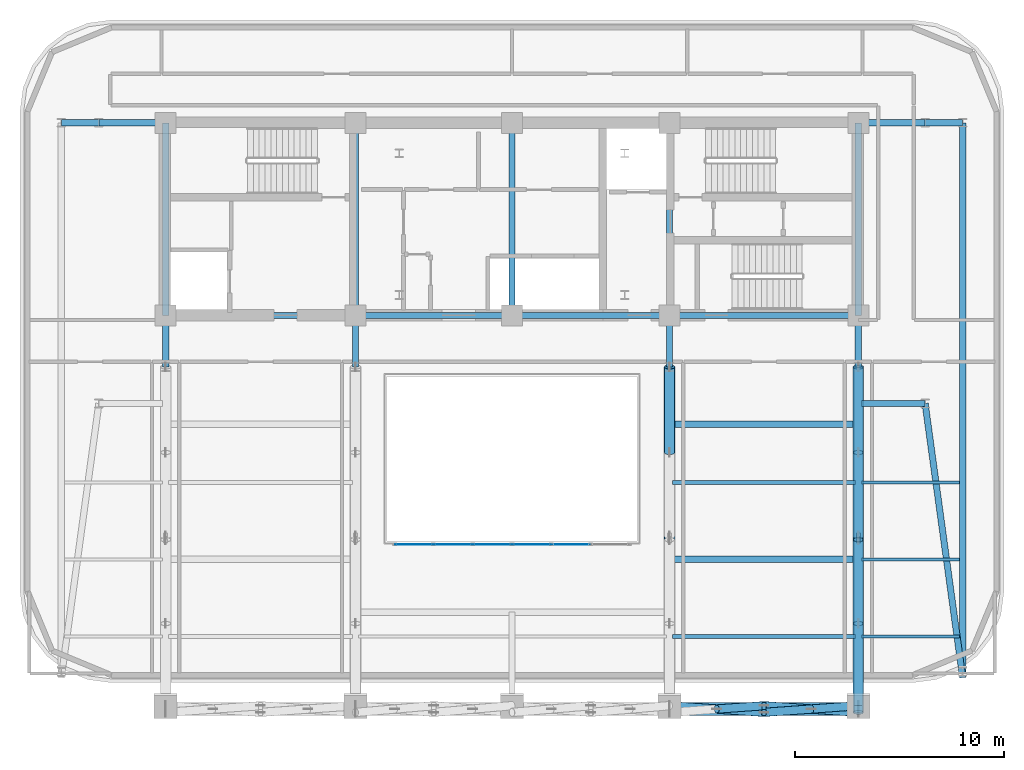
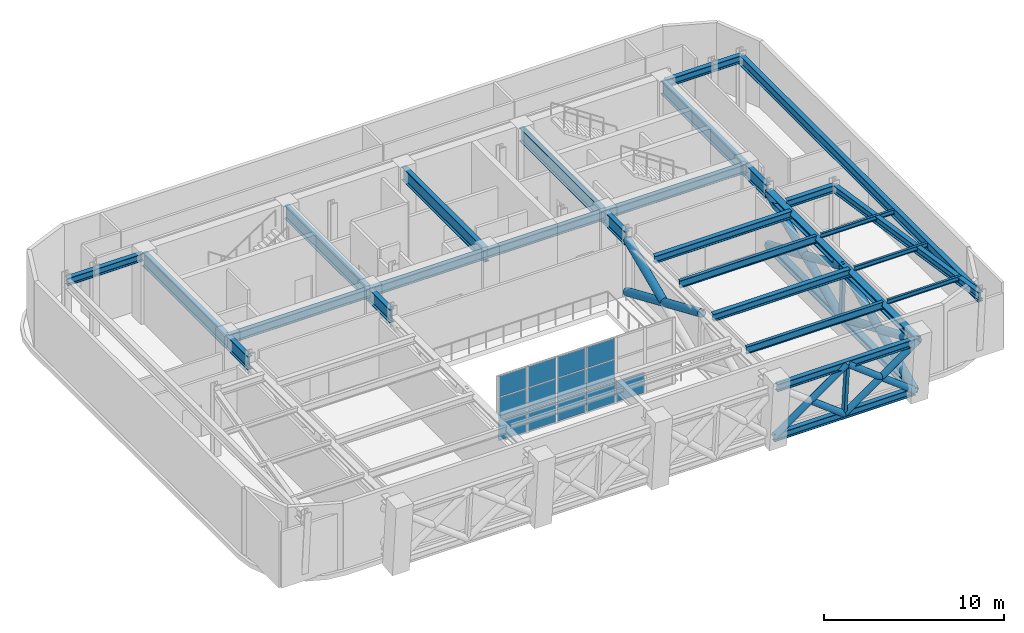
# One storey, part 3 of 12: 27 beams, 19 members, 13 plates, 1 element without a shape of its own.
"""IFC4 building model written with IfcOpenShell, lengths in metres."""

from ifc_helpers import new_model, si_unit, direction, frame, origin, origin_2d, place, context, subcontext, project, spatial, rectangle, hollow_rectangle, hollow_circle, i_section, extrude, material, layer, layer_set, material_profile, profile_set, type_object, element, aggregate, save


model = new_model("IFC4")

# Units and contexts
model_context = context("Model", 3, precision=1e-05, world=origin(), true_north=direction((0.0, 1.0)))
body_context = subcontext(model_context, "Body", "Model", "MODEL_VIEW")
ifc_project = project(units=[si_unit("LENGTHUNIT", "METRE"), si_unit("AREAUNIT", "SQUARE_METRE"), si_unit("VOLUMEUNIT", "CUBIC_METRE"), si_unit("PLANEANGLEUNIT", "RADIAN"), si_unit("MASSUNIT", "GRAM", prefix="KILO")], contexts=[model_context])

# Site, building, storey
site_placement = place(None, origin())
site = spatial("IfcSite", under=ifc_project, at=site_placement, CompositionType="ELEMENT")
building_placement = place(site_placement, origin())
building = spatial("IfcBuilding", under=site, at=building_placement, Name="Zarnavel Station Tower", CompositionType="ELEMENT")
storey_placement = place(building_placement, frame((0.0, 0.0, 188.39990234375)))
storey = spatial("IfcBuildingStorey", under=building, at=storey_placement, Name="L51", CompositionType="ELEMENT", Elevation=188.39990234375)

# Members
ifc_material_1 = material(Name="Steel S460M", Category="steel")
ifc_material_profile_1 = material_profile(ifc_material_1, i_section(OverallWidth=0.300048828125, OverallDepth=0.5, WebThickness=0.014404296875, FlangeThickness=0.028076171875, FilletRadius=0.027099609375, at=origin_2d()), Name="HEB500")
ifc_profile_set_1 = profile_set([ifc_material_profile_1], Name="Steel S460M")
member_type_1 = type_object("IfcMemberType", Name="BT_CHORD_HEB500", PredefinedType="CHORD", material=ifc_profile_set_1)
for number, where, z_axis, x_axis, name in (
    (1, (36.35009765625, 9.118896484375, 0.400146484375), (1.0, 0.0, 0.0), (0.0, 1.0, 0.0), "L51 Perimeter Belt Truss Bottom Chord 4"),
    (2, (36.35009765625, 8.79443359375, 3.97998046875), (1.0, 0.0, 0.0), (0.0, 1.0, 0.0), "L51 Perimeter Belt Truss Top Chord 4"),
):
    element("IfcMember", number, at=place(storey_placement, frame(where, z_axis=z_axis, x_axis=x_axis)), inside=storey, type_object=member_type_1, Name=name, PredefinedType="CHORD", context=body_context, shape_type="SweptSolid", body=[
        extrude(i_section(OverallWidth=0.300048828125, OverallDepth=0.5, WebThickness=0.014404296875, FlangeThickness=0.028076171875, FilletRadius=0.027099609375, at=origin_2d()), origin(), (0.0, 0.0, 1.0), 9.0498046875),
    ])
ifc_material_2 = material(Name="Steel S460M", Category="steel")
ifc_material_profile_2 = material_profile(ifc_material_2, hollow_circle(Radius=0.203125, WallThickness=0.01611328125, at=origin_2d()), Name="CHS406.4x16")
ifc_profile_set_2 = profile_set([ifc_material_profile_2], Name="Steel S460M")
member_type_2 = type_object("IfcMemberType", Name="BT_DIAG_CHS406", PredefinedType="BRACE", material=ifc_profile_set_2)
member_1_placement = place(storey_placement, frame((36.35009765625, 9.118896484375, 0.400146484375), z_axis=(0.783009442664, -0.056146517174, 0.619470565328), x_axis=(0.071522414017, 0.997438992768, 0.0)))
element("IfcMember", 3, at=member_1_placement, inside=storey, type_object=member_type_2, Name="L51 Belt Truss Continuous Diagonal A1 4", PredefinedType="BRACE", context=body_context, shape_type="SweptSolid", body=[
    extrude(hollow_circle(Radius=0.203125, WallThickness=0.01611328125, at=origin_2d()), origin(), (0.0, 0.0, 1.0), 5.77880859375),
])
member_2_placement = place(storey_placement, frame((40.875, 9.118896484375, 0.400146484375), z_axis=(-0.782990807201, -0.056102934713, 0.619498068242), x_axis=(0.07146887229, -0.997442830589, 0.0)))
element("IfcMember", 4, at=member_2_placement, inside=storey, type_object=member_type_2, Name="L51 Belt Truss Split Diagonal B1 Lower 4", PredefinedType="BRACE", context=body_context, shape_type="SweptSolid", body=[
    extrude(hollow_circle(Radius=0.203125, WallThickness=0.01611328125, at=origin_2d()), origin(), (0.0, 0.0, 1.0), 2.889404296875),
])
member_3_placement = place(storey_placement, frame((40.875, 9.118896484375, 0.400146484375), z_axis=(0.783009442664, -0.056146517174, 0.619470565328), x_axis=(0.071522414017, 0.997438992768, 0.0)))
element("IfcMember", 5, at=member_3_placement, inside=storey, type_object=member_type_2, Name="L51 Belt Truss Continuous Diagonal A2 4", PredefinedType="BRACE", context=body_context, shape_type="SweptSolid", body=[
    extrude(hollow_circle(Radius=0.203125, WallThickness=0.01611328125, at=origin_2d()), origin(), (0.0, 0.0, 1.0), 5.77880859375),
])
for number, where, z_axis, x_axis, name in (
    (6, (45.39990234375, 9.118896484375, 0.400146484375), (-0.782990807201, -0.056102934713, 0.619498068242), (0.07146887229, -0.997442830589, 0.0), "L51 Belt Truss Split Diagonal B2 Lower 4"),
    (7, (43.137451171875, 8.956787109375, 2.190185546875), (-0.783028076663, -0.056190101541, 0.619443059244), (0.071575955125, -0.997435152102, 0.0), "L51 Belt Truss Split Diagonal B2 Upper 4"),
):
    element("IfcMember", number, at=place(storey_placement, frame(where, z_axis=z_axis, x_axis=x_axis)), inside=storey, type_object=member_type_2, Name=name, PredefinedType="BRACE", context=body_context, shape_type="SweptSolid", body=[
        extrude(hollow_circle(Radius=0.203125, WallThickness=0.01611328125, at=origin_2d()), origin(), (0.0, 0.0, 1.0), 2.889404296875),
    ])
ifc_material_3 = material(Name="Steel S460M", Category="steel")
ifc_material_profile_3 = material_profile(ifc_material_3, hollow_rectangle(XDim=0.199951171875, YDim=0.300048828125, WallThickness=0.012451171875, at=origin_2d()), Name="RHS300x200x12.5")
ifc_profile_set_3 = profile_set([ifc_material_profile_3], Name="Steel S460M")
member_type_3 = type_object("IfcMemberType", Name="BT_POST_RHS300", PredefinedType="POST", material=ifc_profile_set_3)
member_4_placement = place(storey_placement, frame((45.39990234375, 17.234619140625, 0.400146484375), z_axis=(0.0, -0.045305678131, 0.998973170575), x_axis=(1.0, 0.0, 0.0)))
element("IfcMember", 8, at=member_4_placement, inside=storey, type_object=member_type_3, Name="L51 Outrigger Mid-Span Post 4", PredefinedType="POST", context=body_context, shape_type="SweptSolid", body=[
    extrude(hollow_rectangle(XDim=0.199951171875, YDim=0.300048828125, WallThickness=0.012451171875, at=origin_2d()), origin(), (0.0, 0.0, 1.0), 3.58349609375),
])
member_5_placement = place(storey_placement, frame((40.875, 9.118896484375, 0.400146484375), z_axis=(0.0, -0.0902662878, 0.995917665918), x_axis=(1.0, 0.0, 0.0)))
element("IfcMember", 9, at=member_5_placement, inside=storey, type_object=member_type_3, Name="L51 Belt Truss Mid-Bay Post 4", PredefinedType="POST", context=body_context, shape_type="SweptSolid", body=[
    extrude(hollow_rectangle(XDim=0.199951171875, YDim=0.300048828125, WallThickness=0.012451171875, at=origin_2d()), origin(), (0.0, 0.0, 1.0), 3.594482421875),
])

# Beams
ifc_material_4 = material(Name="Steel S355J2", Category="steel")
ifc_material_profile_4 = material_profile(ifc_material_4, i_section(OverallWidth=0.300048828125, OverallDepth=0.489990234375, WebThickness=0.011962890625, FlangeThickness=0.02294921875, FilletRadius=0.027099609375, at=origin_2d()), Name="HEA500")
ifc_profile_set_4 = profile_set([ifc_material_profile_4], Name="Steel S355J2")
beam_type_1 = type_object("IfcBeamType", Name="FB_HEA500", PredefinedType="BEAM", material=ifc_profile_set_4)
for number, where, z_axis, x_axis, name in (
    (10, (36.4951171875, 16.12939453125, 4.235107421875), (1.0, 0.0, 0.0), (0.0, 1.0, 0.0), "L51 East Bay Beam 2"),
    (11, (36.4951171875, 22.60986328125, 4.235107421875), (1.0, 0.0, 0.0), (0.0, 1.0, 0.0), "L51 East Bay Beam 4"),
):
    element("IfcBeam", number, at=place(storey_placement, frame(where, z_axis=z_axis, x_axis=x_axis)), inside=storey, type_object=beam_type_1, Name=name, PredefinedType="BEAM", context=body_context, shape_type="SweptSolid", body=[
        extrude(i_section(OverallWidth=0.300048828125, OverallDepth=0.489990234375, WebThickness=0.011962890625, FlangeThickness=0.02294921875, FilletRadius=0.027099609375, at=origin_2d()), origin(), (0.0, 0.0, 1.0), 8.759765625),
    ])
ifc_material_5 = material(Name="Steel S355J2", Category="steel")
ifc_material_profile_5 = material_profile(ifc_material_5, i_section(OverallWidth=0.199951171875, OverallDepth=0.5, WebThickness=0.01025390625, FlangeThickness=0.01611328125, FilletRadius=0.02099609375, at=origin_2d()), Name="IPE500")
ifc_profile_set_5 = profile_set([ifc_material_profile_5], Name="Steel S355J2")
beam_type_2 = type_object("IfcBeamType", Name="FB_IPE500", PredefinedType="BEAM", material=ifc_profile_set_5)
for number, where, z_axis, x_axis, name in (
    (12, (36.4951171875, 12.439453125, 4.22998046875), (1.0, 0.0, 0.0), (0.0, 1.0, 0.0), "L51 East Bay Beam 1"),
    (13, (36.4951171875, 19.819580078125, 4.22998046875), (1.0, 0.0, 0.0), (0.0, 1.0, 0.0), "L51 East Bay Beam 3"),
):
    element("IfcBeam", number, at=place(storey_placement, frame(where, z_axis=z_axis, x_axis=x_axis)), inside=storey, type_object=beam_type_2, Name=name, PredefinedType="BEAM", context=body_context, shape_type="SweptSolid", body=[
        extrude(i_section(OverallWidth=0.199951171875, OverallDepth=0.5, WebThickness=0.01025390625, FlangeThickness=0.01611328125, FilletRadius=0.02099609375, at=origin_2d()), origin(), (0.0, 0.0, 1.0), 8.759765625),
    ])
ifc_material_6 = material(Name="Steel S355J2", Category="steel")
ifc_material_profile_6 = material_profile(ifc_material_6, i_section(OverallWidth=0.300048828125, OverallDepth=0.5, WebThickness=0.014404296875, FlangeThickness=0.028076171875, FilletRadius=0.027099609375, at=origin_2d()), Name="HEB500")
ifc_profile_set_6 = profile_set([ifc_material_profile_6], Name="Steel S355J2")
beam_type_3 = type_object("IfcBeamType", Name="FG_HEB500", PredefinedType="USERDEFINED", material=ifc_profile_set_6)
beam_1_placement = place(storey_placement, frame((7.199951171875, 37.050048828125, 4.22998046875), z_axis=(1.0, 0.0, 0.0), x_axis=(0.0, 1.0, 0.0)))
element("IfcBeam", 14, at=beam_1_placement, inside=storey, type_object=beam_type_3, Name="L51 West Wing North Tie 1", ObjectType="GIRDER", PredefinedType="USERDEFINED", context=body_context, shape_type="SweptSolid", body=[
    extrude(i_section(OverallWidth=0.300048828125, OverallDepth=0.5, WebThickness=0.014404296875, FlangeThickness=0.028076171875, FilletRadius=0.027099609375, at=origin_2d()), origin(), (0.0, 0.0, 1.0), 1.800048828125),
])
beam_2_placement = place(storey_placement, frame((9.0, 37.050048828125, 4.22998046875), z_axis=(1.0, 0.0, 0.0), x_axis=(0.0, 1.0, 0.0)))
element("IfcBeam", 15, at=beam_2_placement, inside=storey, type_object=beam_type_3, Name="L51 West Wing North Tie 2", ObjectType="GIRDER", PredefinedType="USERDEFINED", context=body_context, shape_type="SweptSolid", body=[
    extrude(i_section(OverallWidth=0.300048828125, OverallDepth=0.5, WebThickness=0.014404296875, FlangeThickness=0.028076171875, FilletRadius=0.027099609375, at=origin_2d()), origin(), (0.0, 0.0, 1.0), 3.054931640625),
])
for number, where, z_axis, x_axis, name in (
    (16, (45.544921875, 23.60009765625, 4.22998046875), (1.0, 0.0, 0.0), (0.0, 1.0, 0.0), "L51 East Wing South Tie 1"),
    (17, (45.544921875, 37.050048828125, 4.22998046875), (1.0, 0.0, 0.0), (0.0, 1.0, 0.0), "L51 East Wing North Tie 1"),
):
    element("IfcBeam", number, at=place(storey_placement, frame(where, z_axis=z_axis, x_axis=x_axis)), inside=storey, type_object=beam_type_3, Name=name, ObjectType="GIRDER", PredefinedType="USERDEFINED", context=body_context, shape_type="SweptSolid", body=[
        extrude(i_section(OverallWidth=0.300048828125, OverallDepth=0.5, WebThickness=0.014404296875, FlangeThickness=0.028076171875, FilletRadius=0.027099609375, at=origin_2d()), origin(), (0.0, 0.0, 1.0), 3.05517578125),
    ])
beam_3_placement = place(storey_placement, frame((48.60009765625, 23.60009765625, 4.22998046875), z_axis=(0.135754972699, -0.990742442508, 0.0), x_axis=(0.990742442508, 0.135754972699, 0.0)))
element("IfcBeam", 18, at=beam_3_placement, inside=storey, type_object=beam_type_3, Name="L51 East Wing South Tie 2", ObjectType="GIRDER", PredefinedType="USERDEFINED", context=body_context, shape_type="SweptSolid", body=[
    extrude(i_section(OverallWidth=0.300048828125, OverallDepth=0.5, WebThickness=0.014404296875, FlangeThickness=0.028076171875, FilletRadius=0.027099609375, at=origin_2d()), origin(), (0.0, 0.0, 1.0), 13.2578125),
])
beam_4_placement = place(storey_placement, frame((48.60009765625, 37.050048828125, 4.22998046875), z_axis=(1.0, 0.0, 0.0), x_axis=(0.0, 1.0, 0.0)))
element("IfcBeam", 19, at=beam_4_placement, inside=storey, type_object=beam_type_3, Name="L51 East Wing North Tie 2", ObjectType="GIRDER", PredefinedType="USERDEFINED", context=body_context, shape_type="SweptSolid", body=[
    extrude(i_section(OverallWidth=0.300048828125, OverallDepth=0.5, WebThickness=0.014404296875, FlangeThickness=0.028076171875, FilletRadius=0.027099609375, at=origin_2d()), origin(), (0.0, 0.0, 1.0), 1.7998046875),
])
ifc_material_7 = material(Name="Steel S355J2", Category="steel")
ifc_material_profile_7 = material_profile(ifc_material_7, i_section(OverallWidth=0.300048828125, OverallDepth=0.60009765625, WebThickness=0.015380859375, FlangeThickness=0.030029296875, FilletRadius=0.027099609375, at=origin_2d()), Name="HEB600")
ifc_profile_set_7 = profile_set([ifc_material_profile_7], Name="Steel S355J2")
beam_type_4 = type_object("IfcBeamType", Name="FG_HEB600", PredefinedType="USERDEFINED", material=ifc_profile_set_7)
beam_5_placement = place(storey_placement, frame((12.199951171875, 27.820068359375, 4.18017578125), z_axis=(1.0, 0.0, 0.0), x_axis=(0.0, 1.0, 0.0)))
element("IfcBeam", 20, at=beam_5_placement, inside=storey, type_object=beam_type_4, Name="L51 Core Front Coupling Beam 1", ObjectType="GIRDER", PredefinedType="USERDEFINED", context=body_context, shape_type="SweptSolid", body=[
    extrude(i_section(OverallWidth=0.300048828125, OverallDepth=0.60009765625, WebThickness=0.015380859375, FlangeThickness=0.030029296875, FilletRadius=0.027099609375, at=origin_2d()), origin(), (0.0, 0.0, 1.0), 9.10009765625),
])
beam_6_placement = place(storey_placement, frame((21.300048828125, 27.820068359375, 4.18017578125), z_axis=(1.0, 0.0, 0.0), x_axis=(0.0, 1.0, 0.0)))
element("IfcBeam", 21, at=beam_6_placement, inside=storey, type_object=beam_type_4, Name="L51 Core Front Coupling Beam 2", ObjectType="GIRDER", PredefinedType="USERDEFINED", context=body_context, shape_type="SweptSolid", body=[
    extrude(i_section(OverallWidth=0.300048828125, OverallDepth=0.60009765625, WebThickness=0.015380859375, FlangeThickness=0.030029296875, FilletRadius=0.027099609375, at=origin_2d()), origin(), (0.0, 0.0, 1.0), 7.5),
])
beam_7_placement = place(storey_placement, frame((28.800048828125, 27.820068359375, 4.18017578125), z_axis=(1.0, 0.0, 0.0), x_axis=(0.0, 1.0, 0.0)))
element("IfcBeam", 22, at=beam_7_placement, inside=storey, type_object=beam_type_4, Name="L51 Core Front Coupling Beam 3", ObjectType="GIRDER", PredefinedType="USERDEFINED", context=body_context, shape_type="SweptSolid", body=[
    extrude(i_section(OverallWidth=0.300048828125, OverallDepth=0.60009765625, WebThickness=0.015380859375, FlangeThickness=0.030029296875, FilletRadius=0.027099609375, at=origin_2d()), origin(), (0.0, 0.0, 1.0), 7.550048828125),
])
beam_8_placement = place(storey_placement, frame((36.35009765625, 27.820068359375, 4.18017578125), z_axis=(1.0, 0.0, 0.0), x_axis=(0.0, 1.0, 0.0)))
element("IfcBeam", 23, at=beam_8_placement, inside=storey, type_object=beam_type_4, Name="L51 Core Front Coupling Beam 4", ObjectType="GIRDER", PredefinedType="USERDEFINED", context=body_context, shape_type="SweptSolid", body=[
    extrude(i_section(OverallWidth=0.300048828125, OverallDepth=0.60009765625, WebThickness=0.015380859375, FlangeThickness=0.030029296875, FilletRadius=0.027099609375, at=origin_2d()), origin(), (0.0, 0.0, 1.0), 9.0498046875),
])
ifc_material_8 = material(Name="Steel S355J2", Category="steel")
ifc_material_profile_8 = material_profile(ifc_material_8, i_section(OverallWidth=0.300048828125, OverallDepth=0.64990234375, WebThickness=0.01611328125, FlangeThickness=0.031005859375, FilletRadius=0.027099609375, at=origin_2d()), Name="HEB650")
ifc_profile_set_8 = profile_set([ifc_material_profile_8], Name="Steel S355J2")
beam_type_5 = type_object("IfcBeamType", Name="FG_HEB650", PredefinedType="USERDEFINED", material=ifc_profile_set_8)
beam_9_placement = place(storey_placement, frame((50.39990234375, 10.465087890625, 4.155029296875), z_axis=(0.0, 1.0, 0.0), x_axis=(-1.0, 0.0, 0.0)))
element("IfcBeam", 24, at=beam_9_placement, inside=storey, type_object=beam_type_5, Name="L51 Wing NS Girder 2", ObjectType="GIRDER", PredefinedType="USERDEFINED", context=body_context, shape_type="SweptSolid", body=[
    extrude(i_section(OverallWidth=0.300048828125, OverallDepth=0.64990234375, WebThickness=0.01611328125, FlangeThickness=0.031005859375, FilletRadius=0.027099609375, at=origin_2d()), origin(), (0.0, 0.0, 1.0), 26.5849609375),
])
ifc_material_9 = material(Name="Steel S355J2", Category="steel")
ifc_material_profile_9 = material_profile(ifc_material_9, i_section(OverallWidth=0.300048828125, OverallDepth=0.89990234375, WebThickness=0.0185546875, FlangeThickness=0.034912109375, FilletRadius=0.030029296875, at=origin_2d()), Name="HEB900")
ifc_profile_set_9 = profile_set([ifc_material_profile_9], Name="Steel S355J2")
beam_type_6 = type_object("IfcBeamType", Name="FG_HEB900", PredefinedType="USERDEFINED", material=ifc_profile_set_9)
for number, where, z_axis, x_axis, name in (
    (25, (12.199951171875, 25.35009765625, 4.030029296875), (0.0, 1.0, 0.0), (-1.0, 0.0, 0.0), "L51 Inner-Zone NS Girder 1"),
    (26, (21.300048828125, 25.35009765625, 4.030029296875), (0.0, 1.0, 0.0), (-1.0, 0.0, 0.0), "L51 Inner-Zone NS Girder 2"),
    (27, (36.35009765625, 25.35009765625, 4.030029296875), (0.0, 1.0, 0.0), (-1.0, 0.0, 0.0), "L51 Inner-Zone NS Girder 4"),
    (28, (45.39990234375, 25.35009765625, 4.030029296875), (0.0, 1.0, 0.0), (-1.0, 0.0, 0.0), "L51 Inner-Zone NS Girder 5"),
):
    element("IfcBeam", number, at=place(storey_placement, frame(where, z_axis=z_axis, x_axis=x_axis)), inside=storey, type_object=beam_type_6, Name=name, ObjectType="GIRDER", PredefinedType="USERDEFINED", context=body_context, shape_type="SweptSolid", body=[
        extrude(i_section(OverallWidth=0.300048828125, OverallDepth=0.89990234375, WebThickness=0.0185546875, FlangeThickness=0.034912109375, FilletRadius=0.030029296875, at=origin_2d()), origin(), (0.0, 0.0, 1.0), 2.469970703125),
    ])
ifc_material_10 = material(Name="Steel S355J2", Category="steel")
ifc_material_profile_10 = material_profile(ifc_material_10, i_section(OverallWidth=0.14990234375, OverallDepth=0.300048828125, WebThickness=0.007080078125, FlangeThickness=0.0107421875, FilletRadius=0.014892578125, at=origin_2d()), Name="IPE300")
ifc_profile_set_10 = profile_set([ifc_material_profile_10], Name="Steel S355J2")
beam_type_7 = type_object("IfcBeamType", Name="FJ_IPE300", PredefinedType="JOIST", material=ifc_profile_set_10)
for number, where, z_axis, x_axis, name in (
    (29, (45.544921875, 12.439453125, 4.330078125), (1.0, 0.0, 0.0), (0.0, 1.0, 0.0), "L51 East Wing Joist 1"),
    (30, (45.544921875, 16.12939453125, 4.330078125), (1.0, 0.0, 0.0), (0.0, 1.0, 0.0), "L51 East Wing Joist 2"),
    (31, (45.544921875, 19.819580078125, 4.330078125), (1.0, 0.0, 0.0), (0.0, 1.0, 0.0), "L51 East Wing Joist 3"),
):
    element("IfcBeam", number, at=place(storey_placement, frame(where, z_axis=z_axis, x_axis=x_axis)), inside=storey, type_object=beam_type_7, Name=name, PredefinedType="JOIST", context=body_context, shape_type="SweptSolid", body=[
        extrude(i_section(OverallWidth=0.14990234375, OverallDepth=0.300048828125, WebThickness=0.007080078125, FlangeThickness=0.0107421875, FilletRadius=0.014892578125, at=origin_2d()), origin(), (0.0, 0.0, 1.0), 4.7099609375),
    ])

# Members
ifc_material_11 = material(Name="Steel S460M", Category="steel")
ifc_material_profile_11 = material_profile(ifc_material_11, i_section(OverallWidth=0.41796875, OverallDepth=0.431884765625, WebThickness=0.034912109375, FlangeThickness=0.055908203125, FilletRadius=0.014892578125, at=origin_2d()), Name="HD400x421")
ifc_profile_set_11 = profile_set([ifc_material_profile_11], Name="Steel S460M")
member_type_4 = type_object("IfcMemberType", Name="OT_CHORD_HD421", PredefinedType="CHORD", material=ifc_profile_set_11)
member_6_placement = place(storey_placement, frame((45.39990234375, 9.118896484375, 0.400146484375), z_axis=(0.0, 1.0, 0.0), x_axis=(-1.0, 0.0, 0.0)))
element("IfcMember", 32, at=member_6_placement, inside=storey, type_object=member_type_4, Name="L51 Outrigger Bottom Chord 4", PredefinedType="CHORD", context=body_context, shape_type="SweptSolid", body=[
    extrude(i_section(OverallWidth=0.41796875, OverallDepth=0.431884765625, WebThickness=0.034912109375, FlangeThickness=0.055908203125, FilletRadius=0.014892578125, at=origin_2d()), origin(), (0.0, 0.0, 1.0), 16.231201171875),
])
member_7_placement = place(storey_placement, frame((45.39990234375, 8.79443359375, 3.97998046875), z_axis=(0.0, 1.0, 0.0), x_axis=(-1.0, 0.0, 0.0)))
element("IfcMember", 33, at=member_7_placement, inside=storey, type_object=member_type_4, Name="L51 Outrigger Top Chord 4", PredefinedType="CHORD", context=body_context, shape_type="SweptSolid", body=[
    extrude(i_section(OverallWidth=0.41796875, OverallDepth=0.431884765625, WebThickness=0.034912109375, FlangeThickness=0.055908203125, FilletRadius=0.014892578125, at=origin_2d()), origin(), (0.0, 0.0, 1.0), 16.5556640625),
])
ifc_material_12 = material(Name="Steel S460M", Category="steel")
ifc_material_profile_12 = material_profile(ifc_material_12, hollow_circle(Radius=0.25390625, WallThickness=0.02001953125, at=origin_2d()), Name="CHS508x20")
ifc_profile_set_12 = profile_set([ifc_material_profile_12], Name="Steel S460M")
member_type_5 = type_object("IfcMemberType", Name="OT_DIAG_CHS508", PredefinedType="STRUT", material=ifc_profile_set_12)
member_8_placement = place(storey_placement, frame((36.35009765625, 25.35009765625, 0.400146484375), z_axis=(0.0, -0.917847706843, 0.396932723572), x_axis=(1.0, 0.0, 0.0)))
element("IfcMember", 34, at=member_8_placement, inside=storey, type_object=member_type_5, Name="L51 Outrigger Continuous Inner Diagonal 3", PredefinedType="STRUT", context=body_context, shape_type="SweptSolid", body=[
    extrude(hollow_circle(Radius=0.25390625, WallThickness=0.02001953125, at=origin_2d()), origin(), (0.0, 0.0, 1.0), 9.018798828125),
])
member_9_placement = place(storey_placement, frame((36.35009765625, 21.251708984375, 2.190185546875), z_axis=(0.0, 0.916424002701, 0.40020875462), x_axis=(-1.0, 0.0, 0.0)))
element("IfcMember", 35, at=member_9_placement, inside=storey, type_object=member_type_5, Name="L51 Outrigger Split Inner Strut Upper 3", PredefinedType="STRUT", context=body_context, shape_type="SweptSolid", body=[
    extrude(hollow_circle(Radius=0.25390625, WallThickness=0.02001953125, at=origin_2d()), origin(), (0.0, 0.0, 1.0), 4.47216796875),
])
member_10_placement = place(storey_placement, frame((45.39990234375, 25.35009765625, 0.400146484375), z_axis=(0.0, -0.917847706843, 0.396932723572), x_axis=(1.0, 0.0, 0.0)))
element("IfcMember", 36, at=member_10_placement, inside=storey, type_object=member_type_5, Name="L51 Outrigger Continuous Inner Diagonal 4", PredefinedType="STRUT", context=body_context, shape_type="SweptSolid", body=[
    extrude(hollow_circle(Radius=0.25390625, WallThickness=0.02001953125, at=origin_2d()), origin(), (0.0, 0.0, 1.0), 9.018798828125),
])
member_11_placement = place(storey_placement, frame((45.39990234375, 17.234619140625, 0.400146484375), z_axis=(0.0, 0.913417374694, 0.407024200271), x_axis=(-1.0, 0.0, 0.0)))
element("IfcMember", 37, at=member_11_placement, inside=storey, type_object=member_type_5, Name="L51 Outrigger Split Inner Strut Lower 4", PredefinedType="STRUT", context=body_context, shape_type="SweptSolid", body=[
    extrude(hollow_circle(Radius=0.25390625, WallThickness=0.02001953125, at=origin_2d()), origin(), (0.0, 0.0, 1.0), 4.39794921875),
])
member_12_placement = place(storey_placement, frame((45.39990234375, 21.251708984375, 2.190185546875), z_axis=(0.0, 0.916424002701, 0.40020875462), x_axis=(-1.0, 0.0, 0.0)))
element("IfcMember", 38, at=member_12_placement, inside=storey, type_object=member_type_5, Name="L51 Outrigger Split Inner Strut Upper 4", PredefinedType="STRUT", context=body_context, shape_type="SweptSolid", body=[
    extrude(hollow_circle(Radius=0.25390625, WallThickness=0.02001953125, at=origin_2d()), origin(), (0.0, 0.0, 1.0), 4.47216796875),
])
member_13_placement = place(storey_placement, frame((45.39990234375, 17.234619140625, 0.400146484375), z_axis=(0.0, -0.920615143346, 0.390471199759), x_axis=(1.0, 0.0, 0.0)))
element("IfcMember", 39, at=member_13_placement, inside=storey, type_object=member_type_5, Name="L51 Outrigger Continuous Outer Diagonal 4", PredefinedType="STRUT", context=body_context, shape_type="SweptSolid", body=[
    extrude(hollow_circle(Radius=0.25390625, WallThickness=0.02001953125, at=origin_2d()), origin(), (0.0, 0.0, 1.0), 9.16796875),
])
member_14_placement = place(storey_placement, frame((45.39990234375, 9.118896484375, 0.400146484375), z_axis=(0.0, 0.910285247028, 0.413981604715), x_axis=(-1.0, 0.0, 0.0)))
element("IfcMember", 40, at=member_14_placement, inside=storey, type_object=member_type_5, Name="L51 Outrigger Split Outer Strut Lower 4", PredefinedType="STRUT", context=body_context, shape_type="SweptSolid", body=[
    extrude(hollow_circle(Radius=0.25390625, WallThickness=0.02001953125, at=origin_2d()), origin(), (0.0, 0.0, 1.0), 4.323974609375),
])
member_15_placement = place(storey_placement, frame((45.39990234375, 13.054931640625, 2.190185546875), z_axis=(0.0, 0.913447207168, 0.406957245564), x_axis=(-1.0, 0.0, 0.0)))
element("IfcMember", 41, at=member_15_placement, inside=storey, type_object=member_type_5, Name="L51 Outrigger Split Outer Strut Upper 4", PredefinedType="STRUT", context=body_context, shape_type="SweptSolid", body=[
    extrude(hollow_circle(Radius=0.25390625, WallThickness=0.02001953125, at=origin_2d()), origin(), (0.0, 0.0, 1.0), 4.39794921875),
])

# Beams
ifc_material_13 = material(Name="Steel S460M", Category="steel")
ifc_material_profile_13 = material_profile(ifc_material_13, i_section(OverallWidth=0.302001953125, OverallDepth=0.909912109375, WebThickness=0.02099609375, FlangeThickness=0.0400390625, FilletRadius=0.030029296875, at=origin_2d()), Name="HEM900")
ifc_profile_set_13 = profile_set([ifc_material_profile_13], Name="Steel S460M")
beam_type_8 = type_object("IfcBeamType", Name="TG_HEM900", PredefinedType="USERDEFINED", material=ifc_profile_set_13)
for number, where, z_axis, x_axis, name in (
    (42, (12.199951171875, 27.820068359375, 4.025146484375), (0.0, 1.0, 0.0), (-1.0, 0.0, 0.0), "L51 Core Spine Coupling Girder 1"),
    (43, (21.300048828125, 27.820068359375, 4.025146484375), (0.0, 1.0, 0.0), (-1.0, 0.0, 0.0), "L51 Core Spine Coupling Girder 2"),
    (44, (28.800048828125, 27.820068359375, 4.025146484375), (0.0, 1.0, 0.0), (-1.0, 0.0, 0.0), "L51 Core Spine Coupling Girder 3"),
    (45, (36.35009765625, 27.820068359375, 4.025146484375), (0.0, 1.0, 0.0), (-1.0, 0.0, 0.0), "L51 Core Spine Coupling Girder 4"),
    (46, (45.39990234375, 27.820068359375, 4.025146484375), (0.0, 1.0, 0.0), (-1.0, 0.0, 0.0), "L51 Core Spine Coupling Girder 5"),
):
    element("IfcBeam", number, at=place(storey_placement, frame(where, z_axis=z_axis, x_axis=x_axis)), inside=storey, type_object=beam_type_8, Name=name, ObjectType="GIRDER", PredefinedType="USERDEFINED", context=body_context, shape_type="SweptSolid", body=[
        extrude(i_section(OverallWidth=0.302001953125, OverallDepth=0.909912109375, WebThickness=0.02099609375, FlangeThickness=0.0400390625, FilletRadius=0.030029296875, at=origin_2d()), origin(), (0.0, 0.0, 1.0), 9.22998046875),
    ])

# Curtain wall, plates
ifc_material_14 = material(Name="Aluminium Dark Anodised and Solar-Control Glass", Category="aluminium")
ifc_layer_1 = layer(ifc_material_14, 0.179931640625)
ifc_layer_set_1 = layer_set([ifc_layer_1], Name="CWS5")
curtain_wall_type = type_object("IfcCurtainWallType", Name="CWS5", PredefinedType="NOTDEFINED", material=ifc_layer_set_1)
curtain_wall_placement = place(storey_placement, origin())
curtain_wall = element("IfcCurtainWall", 47, at=curtain_wall_placement, inside=storey, type_object=curtain_wall_type, Name="L51 Curtain Wall CWS5-L51-AS", PredefinedType="NOTDEFINED")
ifc_material_15 = material(Name="Double Low-E Dark Solar-Control Glass", Category="glass")
ifc_layer_2 = layer(ifc_material_15, 0.033935546875)
ifc_layer_set_2 = layer_set([ifc_layer_2], Name="CWS5_PNL")
plate_type = type_object("IfcPlateType", Name="CWS5_PNL", PredefinedType="CURTAIN_PANEL", material=ifc_layer_set_2)
plate_1_placement = place(storey_placement, frame((24.106689453125, 16.85009765625, 0.06005859375), z_axis=(0.0, 0.0, 1.0), x_axis=(1.0, 0.0, 0.0)))
plate_1 = element("IfcPlate", 48, at=plate_1_placement, type_object=plate_type, Name="CW5 panel 1.1", PredefinedType="CURTAIN_PANEL", context=body_context, shape_type="SweptSolid", body=[
    extrude(rectangle(XDim=1.793212890625, YDim=0.028076171875, at=origin_2d()), origin(), (0.0, 0.0, 1.0), 1.4033203125),
])
plate_2_placement = place(storey_placement, frame((24.106689453125, 16.85009765625, 1.5234375), z_axis=(0.0, 0.0, 1.0), x_axis=(1.0, 0.0, 0.0)))
plate_2 = element("IfcPlate", 49, at=plate_2_placement, type_object=plate_type, Name="CW5 panel 1.2", PredefinedType="CURTAIN_PANEL", context=body_context, shape_type="SweptSolid", body=[
    extrude(rectangle(XDim=1.793212890625, YDim=0.028076171875, at=origin_2d()), origin(), (0.0, 0.0, 1.0), 1.433349609375),
])
plate_3_placement = place(storey_placement, frame((24.106689453125, 16.85009765625, 3.016845703125), z_axis=(0.0, 0.0, 1.0), x_axis=(1.0, 0.0, 0.0)))
plate_3 = element("IfcPlate", 50, at=plate_3_placement, type_object=plate_type, Name="CW5 panel 1.3", PredefinedType="CURTAIN_PANEL", context=body_context, shape_type="SweptSolid", body=[
    extrude(rectangle(XDim=1.793212890625, YDim=0.028076171875, at=origin_2d()), origin(), (0.0, 0.0, 1.0), 1.4033203125),
])
plate_4_placement = place(storey_placement, frame((25.97509765625, 16.85009765625, 0.06005859375), z_axis=(0.0, 0.0, 1.0), x_axis=(1.0, 0.0, 0.0)))
plate_4 = element("IfcPlate", 51, at=plate_4_placement, type_object=plate_type, Name="CW5 panel 2.1", PredefinedType="CURTAIN_PANEL", context=body_context, shape_type="SweptSolid", body=[
    extrude(rectangle(XDim=1.8232421875, YDim=0.028076171875, at=origin_2d()), origin(), (0.0, 0.0, 1.0), 1.4033203125),
])
plate_5_placement = place(storey_placement, frame((25.97509765625, 16.85009765625, 1.5234375), z_axis=(0.0, 0.0, 1.0), x_axis=(1.0, 0.0, 0.0)))
plate_5 = element("IfcPlate", 52, at=plate_5_placement, type_object=plate_type, Name="CW5 panel 2.2", PredefinedType="CURTAIN_PANEL", context=body_context, shape_type="SweptSolid", body=[
    extrude(rectangle(XDim=1.8232421875, YDim=0.028076171875, at=origin_2d()), origin(), (0.0, 0.0, 1.0), 1.433349609375),
])
plate_6_placement = place(storey_placement, frame((25.97509765625, 16.85009765625, 3.016845703125), z_axis=(0.0, 0.0, 1.0), x_axis=(1.0, 0.0, 0.0)))
plate_6 = element("IfcPlate", 53, at=plate_6_placement, type_object=plate_type, Name="CW5 panel 2.3", PredefinedType="CURTAIN_PANEL", context=body_context, shape_type="SweptSolid", body=[
    extrude(rectangle(XDim=1.8232421875, YDim=0.028076171875, at=origin_2d()), origin(), (0.0, 0.0, 1.0), 1.4033203125),
])
plate_7_placement = place(storey_placement, frame((27.8583984375, 16.85009765625, 0.06005859375), z_axis=(0.0, 0.0, 1.0), x_axis=(1.0, 0.0, 0.0)))
plate_7 = element("IfcPlate", 54, at=plate_7_placement, type_object=plate_type, Name="CW5 panel 3.1", PredefinedType="CURTAIN_PANEL", context=body_context, shape_type="SweptSolid", body=[
    extrude(rectangle(XDim=1.8232421875, YDim=0.028076171875, at=origin_2d()), origin(), (0.0, 0.0, 1.0), 1.4033203125),
])
plate_8_placement = place(storey_placement, frame((27.8583984375, 16.85009765625, 1.5234375), z_axis=(0.0, 0.0, 1.0), x_axis=(1.0, 0.0, 0.0)))
plate_8 = element("IfcPlate", 55, at=plate_8_placement, type_object=plate_type, Name="CW5 panel 3.2", PredefinedType="CURTAIN_PANEL", context=body_context, shape_type="SweptSolid", body=[
    extrude(rectangle(XDim=1.8232421875, YDim=0.028076171875, at=origin_2d()), origin(), (0.0, 0.0, 1.0), 1.433349609375),
])
plate_9_placement = place(storey_placement, frame((27.8583984375, 16.85009765625, 3.016845703125), z_axis=(0.0, 0.0, 1.0), x_axis=(1.0, 0.0, 0.0)))
plate_9 = element("IfcPlate", 56, at=plate_9_placement, type_object=plate_type, Name="CW5 panel 3.3", PredefinedType="CURTAIN_PANEL", context=body_context, shape_type="SweptSolid", body=[
    extrude(rectangle(XDim=1.8232421875, YDim=0.028076171875, at=origin_2d()), origin(), (0.0, 0.0, 1.0), 1.4033203125),
])
plate_10_placement = place(storey_placement, frame((29.74169921875, 16.85009765625, 0.06005859375), z_axis=(0.0, 0.0, 1.0), x_axis=(1.0, 0.0, 0.0)))
plate_10 = element("IfcPlate", 57, at=plate_10_placement, type_object=plate_type, Name="CW5 panel 4.1", PredefinedType="CURTAIN_PANEL", context=body_context, shape_type="SweptSolid", body=[
    extrude(rectangle(XDim=1.8232421875, YDim=0.028076171875, at=origin_2d()), origin(), (0.0, 0.0, 1.0), 1.4033203125),
])
plate_11_placement = place(storey_placement, frame((29.74169921875, 16.85009765625, 1.5234375), z_axis=(0.0, 0.0, 1.0), x_axis=(1.0, 0.0, 0.0)))
plate_11 = element("IfcPlate", 58, at=plate_11_placement, type_object=plate_type, Name="CW5 panel 4.2", PredefinedType="CURTAIN_PANEL", context=body_context, shape_type="SweptSolid", body=[
    extrude(rectangle(XDim=1.8232421875, YDim=0.028076171875, at=origin_2d()), origin(), (0.0, 0.0, 1.0), 1.433349609375),
])
plate_12_placement = place(storey_placement, frame((29.74169921875, 16.85009765625, 3.016845703125), z_axis=(0.0, 0.0, 1.0), x_axis=(1.0, 0.0, 0.0)))
plate_12 = element("IfcPlate", 59, at=plate_12_placement, type_object=plate_type, Name="CW5 panel 4.3", PredefinedType="CURTAIN_PANEL", context=body_context, shape_type="SweptSolid", body=[
    extrude(rectangle(XDim=1.8232421875, YDim=0.028076171875, at=origin_2d()), origin(), (0.0, 0.0, 1.0), 1.4033203125),
])
plate_13_placement = place(storey_placement, frame((31.625, 16.85009765625, 0.06005859375), z_axis=(0.0, 0.0, 1.0), x_axis=(1.0, 0.0, 0.0)))
plate_13 = element("IfcPlate", 60, at=plate_13_placement, type_object=plate_type, Name="CW5 panel 5.1", PredefinedType="CURTAIN_PANEL", context=body_context, shape_type="SweptSolid", body=[
    extrude(rectangle(XDim=1.8232421875, YDim=0.028076171875, at=origin_2d()), origin(), (0.0, 0.0, 1.0), 1.4033203125),
])
aggregate(curtain_wall, [plate_1, plate_2, plate_3, plate_4, plate_5, plate_6, plate_7, plate_8, plate_9, plate_10, plate_11, plate_12, plate_13])

save(model, "model.ifc")
